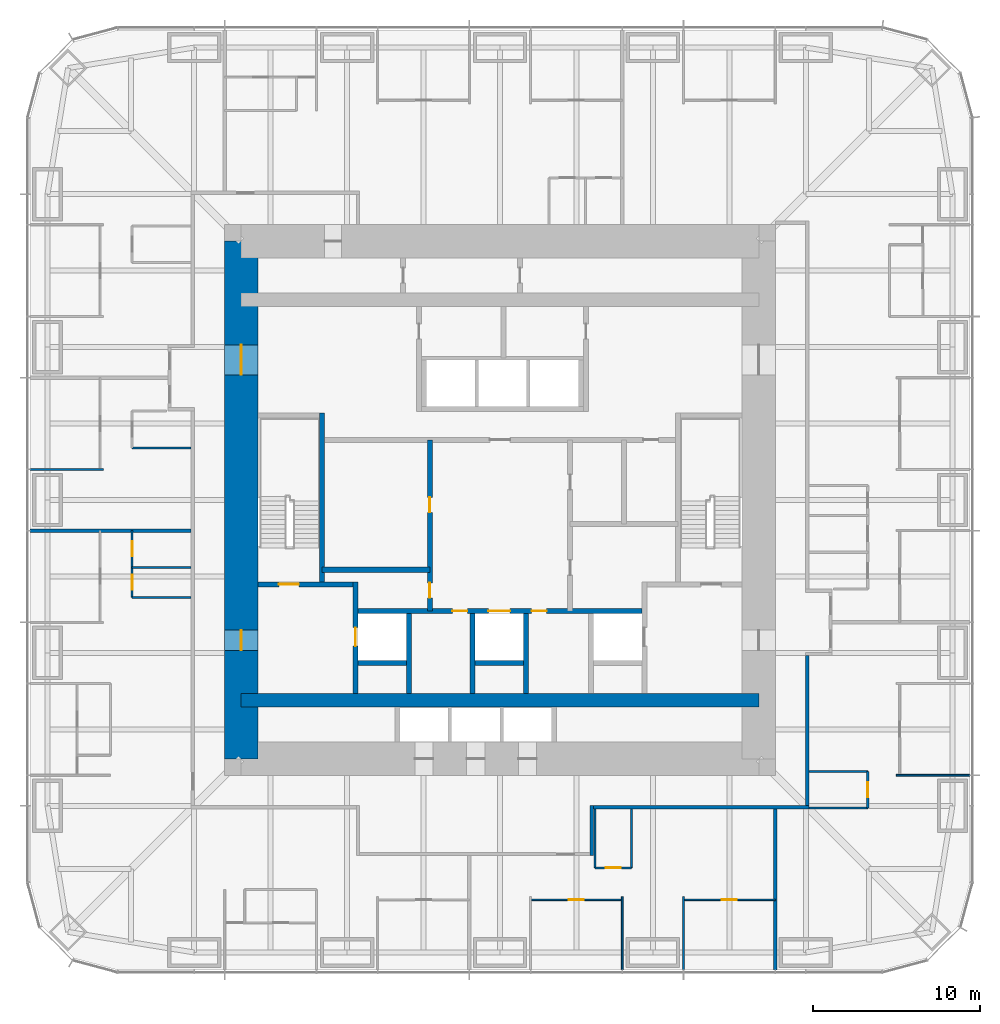
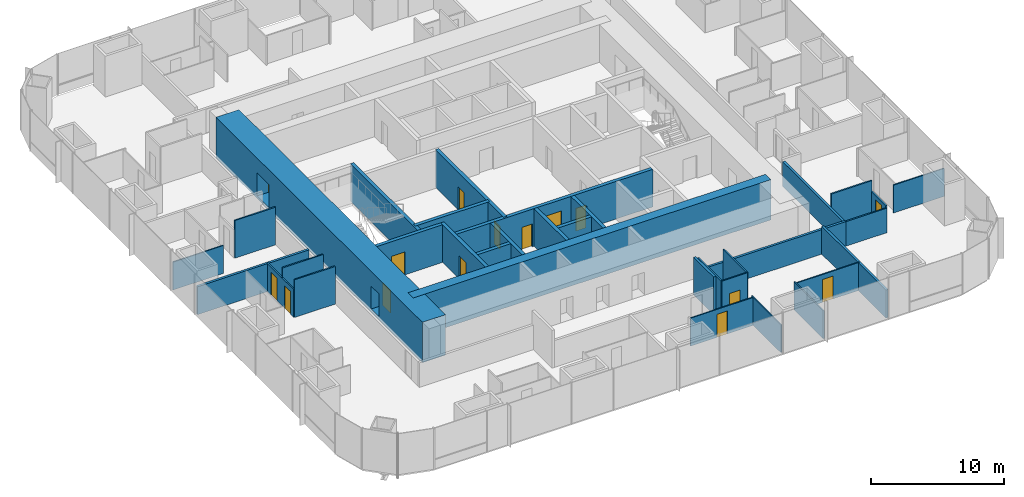
# One storey, part 8 of 12: 34 walls, 15 doors, 15 openings.
"""IFC4 building model written with IfcOpenShell, lengths in metres."""

from ifc_helpers import new_model, si_unit, direction, frame, frame_2d, origin, place, context, subcontext, project, spatial, rectangle, extrude, material, layer, layer_set, type_object, element, fill, save


model = new_model("IFC4")

# Units and contexts
model_context = context("Model", 3, precision=1e-05, world=origin(), true_north=direction((0.0, 1.0)))
body_context = subcontext(model_context, "Body", "Model", "MODEL_VIEW")
ifc_project = project(units=[si_unit("LENGTHUNIT", "METRE"), si_unit("AREAUNIT", "SQUARE_METRE"), si_unit("VOLUMEUNIT", "CUBIC_METRE"), si_unit("PLANEANGLEUNIT", "RADIAN"), si_unit("MASSUNIT", "GRAM", prefix="KILO")], contexts=[model_context])

# Site, building, storey
site_placement = place(None, origin())
site = spatial("IfcSite", under=ifc_project, at=site_placement, CompositionType="ELEMENT")
building_placement = place(site_placement, origin())
building = spatial("IfcBuilding", under=site, at=building_placement, Name="Khuree Lantern Residences", CompositionType="ELEMENT")
storey_placement = place(building_placement, frame((0.0, 0.0, 182.25)))
storey = spatial("IfcBuildingStorey", under=building, at=storey_placement, Name="L46", CompositionType="ELEMENT", Elevation=182.25)

# Wall
ifc_material_1 = material(Name="Moisture-resistant gypsum board on steel studs", Category="steel")
ifc_layer_1 = layer(ifc_material_1, 0.125)
ifc_layer_set_1 = layer_set([ifc_layer_1], Name="BATHROOM WALL BTW125")
wall_type_1 = type_object("IfcWallType", Name="BATHROOM WALL BTW125", PredefinedType="PARTITIONING", material=ifc_layer_set_1)
wall_1_placement = place(storey_placement, frame((-18.5, 3.1279296875, 0.0), z_axis=(0.0, 0.0, 1.0), x_axis=(-1.0, 0.0, 0.0)))
element("IfcWall", 1, at=wall_1_placement, inside=storey, type_object=wall_type_1, Name="L46 BATHROOM WALL 04", PredefinedType="PARTITIONING", context=body_context, shape_type="SweptSolid", body=[
    extrude(rectangle(XDim=3.52978515625, YDim=0.125, at=frame_2d((1.764892578125, 0.0))), origin(), (0.0, 0.0, 1.0), 3.449951171875),
])

# Wall, openings, doors
wall_2_placement = place(storey_placement, frame((-22.02978515625, -1.83203125, 0.0), z_axis=(0.0, 0.0, 1.0), x_axis=(0.0, -1.0, 0.0)))
wall_2 = element("IfcWall", 2, at=wall_2_placement, inside=storey, type_object=wall_type_1, Name="L46 BATHROOM WALL 05", PredefinedType="PARTITIONING", context=body_context, shape_type="SweptSolid", body=[
    extrude(rectangle(XDim=4.0, YDim=0.125, at=frame_2d((2.0, 0.0))), origin(), (0.0, 0.0, 1.0), 2.56005859375),
])
opening_1_placement = place(wall_2_placement, frame((0.64990234375, 0.0, 0.0)))
opening_1 = element("IfcOpeningElement", 3, at=opening_1_placement, cuts=wall_2, Name="Opening 46-054", PredefinedType="OPENING", context=body_context, shape_type="SweptSolid", body=[
    extrude(rectangle(XDim=0.89990234375, YDim=2.10009765625, at=frame_2d((0.449951171875, 1.050048828125))), frame((0.0, 0.072509765625, 0.0), z_axis=(0.0, -1.0, 0.0), x_axis=(1.0, 0.0, 0.0)), (0.0, 0.0, 1.0), 0.14501953125),
])
opening_2_placement = place(wall_2_placement, frame((2.64990234375, 0.0, 0.0)))
opening_2 = element("IfcOpeningElement", 4, at=opening_2_placement, cuts=wall_2, Name="Opening 46-055", PredefinedType="OPENING", context=body_context, shape_type="SweptSolid", body=[
    extrude(rectangle(XDim=0.89990234375, YDim=2.10009765625, at=frame_2d((0.449951171875, 1.050048828125))), frame((0.0, 0.072509765625, 0.0), z_axis=(0.0, -1.0, 0.0), x_axis=(1.0, 0.0, 0.0)), (0.0, 0.0, 1.0), 0.14501953125),
])
ifc_material_2 = material(Name="Timber door leaf in hardwood frame", Category="wood")
door_type_1 = type_object("IfcDoorType", Name="BATHROOM DOOR 900X2100", OperationType="SINGLE_SWING_LEFT", PredefinedType="DOOR", material=ifc_material_2)
door_1_placement = place(opening_1_placement, origin())
door_1 = element("IfcDoor", 5, at=door_1_placement, inside=storey, type_object=door_type_1, Name="Bathroom door 46-054", OperationType="SINGLE_SWING_LEFT", OverallHeight=2.10009765625, OverallWidth=0.89990234375, PredefinedType="DOOR", context=body_context, shape_type="SweptSolid", body=[
    extrude(rectangle(XDim=0.89990234375, YDim=2.10009765625, at=frame_2d((0.449951171875, 1.050048828125))), frame((0.0, 0.02490234375, 0.0), z_axis=(0.0, -1.0, 0.0), x_axis=(1.0, 0.0, 0.0)), (0.0, 0.0, 1.0), 0.050048828125),
])
fill(opening_1, door_1)
door_type_2 = type_object("IfcDoorType", Name="DOOR 900X2100", OperationType="SINGLE_SWING_LEFT", PredefinedType="DOOR", material=ifc_material_2)
door_2_placement = place(opening_2_placement, origin())
door_2 = element("IfcDoor", 6, at=door_2_placement, inside=storey, type_object=door_type_2, Name="Store door 46-055", OperationType="SINGLE_SWING_LEFT", OverallHeight=2.10009765625, OverallWidth=0.89990234375, PredefinedType="DOOR", context=body_context, shape_type="SweptSolid", body=[
    extrude(rectangle(XDim=0.89990234375, YDim=2.10009765625, at=frame_2d((0.449951171875, 1.050048828125))), frame((0.0, 0.02490234375, 0.0), z_axis=(0.0, -1.0, 0.0), x_axis=(1.0, 0.0, 0.0)), (0.0, 0.0, 1.0), 0.050048828125),
])
fill(opening_2, door_2)

# Walls
for number, where, z_axis, x_axis, name in (
    (7, (-18.5, -4.031982421875, 0.0), (0.0, 0.0, 1.0), (-1.0, 0.0, 0.0), "L46 BATHROOM WALL 05"),
    (8, (-18.5, -5.83203125, 0.0), (0.0, 0.0, 1.0), (-1.0, 0.0, 0.0), "L46 BATHROOM WALL 05"),
):
    element("IfcWall", number, at=place(storey_placement, frame(where, z_axis=z_axis, x_axis=x_axis)), inside=storey, type_object=wall_type_1, Name=name, PredefinedType="PARTITIONING", context=body_context, shape_type="SweptSolid", body=[
        extrude(rectangle(XDim=3.52978515625, YDim=0.125, at=frame_2d((1.764892578125, 0.0))), origin(), (0.0, 0.0, 1.0), 3.449951171875),
    ])

# Wall, opening, door
wall_3_placement = place(storey_placement, frame((5.68359375, -22.02978515625, 0.0), z_axis=(0.0, 0.0, 1.0), x_axis=(1.0, 0.0, 0.0)))
wall_3 = element("IfcWall", 9, at=wall_3_placement, inside=storey, type_object=wall_type_1, Name="L46 BATHROOM WALL 06", PredefinedType="PARTITIONING", context=body_context, shape_type="SweptSolid", body=[
    extrude(rectangle(XDim=2.199951171875, YDim=0.125, at=frame_2d((1.10009765625, 0.0))), origin(), (0.0, 0.0, 1.0), 3.449951171875),
])
opening_3_placement = place(wall_3_placement, frame((0.64990234375, 0.0, 0.0)))
opening_3 = element("IfcOpeningElement", 10, at=opening_3_placement, cuts=wall_3, Name="Opening 46-059", PredefinedType="OPENING", context=body_context, shape_type="SweptSolid", body=[
    extrude(rectangle(XDim=0.89990234375, YDim=2.10009765625, at=frame_2d((0.449951171875, 1.050048828125))), frame((0.0, 0.072509765625, 0.0), z_axis=(0.0, -1.0, 0.0), x_axis=(1.0, 0.0, 0.0)), (0.0, 0.0, 1.0), 0.14501953125),
])
door_3_placement = place(opening_3_placement, origin())
door_3 = element("IfcDoor", 11, at=door_3_placement, inside=storey, type_object=door_type_1, Name="Bathroom door 46-059", OperationType="SINGLE_SWING_LEFT", OverallHeight=2.10009765625, OverallWidth=0.89990234375, PredefinedType="DOOR", context=body_context, shape_type="SweptSolid", body=[
    extrude(rectangle(XDim=0.89990234375, YDim=2.10009765625, at=frame_2d((0.449951171875, 1.050048828125))), frame((0.0, 0.02490234375, 0.0), z_axis=(0.0, -1.0, 0.0), x_axis=(1.0, 0.0, 0.0)), (0.0, 0.0, 1.0), 0.050048828125),
])
fill(opening_3, door_3)

# Walls
for number, where, z_axis, x_axis, name in (
    (12, (5.68359375, -18.5, 0.0), (0.0, 0.0, 1.0), (0.0, -1.0, 0.0), "L46 BATHROOM WALL 06"),
    (13, (7.883544921875, -18.5, 0.0), (0.0, 0.0, 1.0), (0.0, -1.0, 0.0), "L46 BATHROOM WALL 06"),
):
    element("IfcWall", number, at=place(storey_placement, frame(where, z_axis=z_axis, x_axis=x_axis)), inside=storey, type_object=wall_type_1, Name=name, PredefinedType="PARTITIONING", context=body_context, shape_type="SweptSolid", body=[
        extrude(rectangle(XDim=3.52978515625, YDim=0.125, at=frame_2d((1.764892578125, 0.0))), origin(), (0.0, 0.0, 1.0), 3.449951171875),
    ])

# Wall, opening, door
wall_4_placement = place(storey_placement, frame((22.02978515625, -18.449951171875, 0.0), z_axis=(0.0, 0.0, 1.0), x_axis=(0.0, 1.0, 0.0)))
wall_4 = element("IfcWall", 14, at=wall_4_placement, inside=storey, type_object=wall_type_1, Name="L46 BATHROOM WALL 07", PredefinedType="PARTITIONING", context=body_context, shape_type="SweptSolid", body=[
    extrude(rectangle(XDim=2.199951171875, YDim=0.125, at=frame_2d((1.10009765625, 0.0))), origin(), (0.0, 0.0, 1.0), 2.449951171875),
])
opening_4_placement = place(wall_4_placement, frame((0.64990234375, 0.0, 0.0)))
opening_4 = element("IfcOpeningElement", 15, at=opening_4_placement, cuts=wall_4, Name="Opening 46-062", PredefinedType="OPENING", context=body_context, shape_type="SweptSolid", body=[
    extrude(rectangle(XDim=0.89990234375, YDim=2.10009765625, at=frame_2d((0.449951171875, 1.050048828125))), frame((0.0, 0.072509765625, 0.0), z_axis=(0.0, -1.0, 0.0), x_axis=(1.0, 0.0, 0.0)), (0.0, 0.0, 1.0), 0.14501953125),
])
door_4_placement = place(opening_4_placement, origin())
door_4 = element("IfcDoor", 16, at=door_4_placement, inside=storey, type_object=door_type_1, Name="Bathroom door 46-062", OperationType="SINGLE_SWING_LEFT", OverallHeight=2.10009765625, OverallWidth=0.89990234375, PredefinedType="DOOR", context=body_context, shape_type="SweptSolid", body=[
    extrude(rectangle(XDim=0.89990234375, YDim=2.10009765625, at=frame_2d((0.449951171875, 1.050048828125))), frame((0.0, 0.02490234375, 0.0), z_axis=(0.0, -1.0, 0.0), x_axis=(1.0, 0.0, 0.0)), (0.0, 0.0, 1.0), 0.050048828125),
])
fill(opening_4, door_4)

# Walls
wall_5_placement = place(storey_placement, frame((18.5, -18.449951171875, 0.0), z_axis=(0.0, 0.0, 1.0), x_axis=(1.0, 0.0, 0.0)))
element("IfcWall", 17, at=wall_5_placement, inside=storey, type_object=wall_type_1, Name="L46 BATHROOM WALL 07", PredefinedType="PARTITIONING", context=body_context, shape_type="SweptSolid", body=[
    extrude(rectangle(XDim=3.52978515625, YDim=0.125, at=frame_2d((1.764892578125, 0.0))), origin(), (0.0, 0.0, 1.0), 2.25),
])
wall_6_placement = place(storey_placement, frame((18.5, -16.25, 0.0), z_axis=(0.0, 0.0, 1.0), x_axis=(1.0, 0.0, 0.0)))
element("IfcWall", 18, at=wall_6_placement, inside=storey, type_object=wall_type_1, Name="L46 BATHROOM WALL 07", PredefinedType="PARTITIONING", context=body_context, shape_type="SweptSolid", body=[
    extrude(rectangle(XDim=3.52978515625, YDim=0.125, at=frame_2d((1.764892578125, 0.0))), origin(), (0.0, 0.0, 1.0), 3.449951171875),
])

# Wall, opening, door
ifc_material_3 = material(Name="Dense concrete blockwork", Category="masonry")
ifc_layer_2 = layer(ifc_material_3, 0.300048828125)
ifc_layer_set_2 = layer_set([ifc_layer_2], Name="CORE PARTITION WALL CPW300 EI 120")
wall_type_2 = type_object("IfcWallType", Name="CORE PARTITION WALL CPW300 EI 120", PredefinedType="PARTITIONING", material=ifc_layer_set_2)
wall_7_placement = place(storey_placement, frame((-8.64990234375, -11.60009765625, 0.0), z_axis=(0.0, 0.0, 1.0), x_axis=(0.0, 1.0, 0.0)))
wall_7 = element("IfcWall", 19, at=wall_7_placement, inside=storey, type_object=wall_type_2, Name="L46 CORE WALL FL1W", PredefinedType="PARTITIONING", context=body_context, shape_type="SweptSolid", body=[
    extrude(rectangle(XDim=6.7001953125, YDim=0.300048828125, at=frame_2d((3.35009765625, 0.0))), origin(), (0.0, 0.0, 1.0), 3.449951171875),
])
opening_5_placement = place(wall_7_placement, frame((2.85009765625, 0.0, 0.0)))
opening_5 = element("IfcOpeningElement", 20, at=opening_5_placement, cuts=wall_7, Name="Opening 46-007", PredefinedType="OPENING", context=body_context, shape_type="SweptSolid", body=[
    extrude(rectangle(XDim=1.10009765625, YDim=2.10009765625, at=frame_2d((0.550048828125, 1.050048828125))), frame((0.0, 0.16015625, 0.0), z_axis=(0.0, -1.0, 0.0), x_axis=(1.0, 0.0, 0.0)), (0.0, 0.0, 1.0), 0.320068359375),
])
ifc_material_4 = material(Name="Stainless steel lift landing door", Category="steel")
door_type_3 = type_object("IfcDoorType", Name="LIFT LANDING DOOR 1100X2100 E 120", OperationType="DOUBLE_DOOR_SLIDING", PredefinedType="DOOR", material=ifc_material_4)
door_5_placement = place(opening_5_placement, origin())
door_5 = element("IfcDoor", 21, at=door_5_placement, inside=storey, type_object=door_type_3, Name="Landing door FL1 46-007", OperationType="DOUBLE_DOOR_SLIDING", OverallHeight=2.10009765625, OverallWidth=1.10009765625, PredefinedType="DOOR", context=body_context, shape_type="SweptSolid", body=[
    extrude(rectangle(XDim=1.10009765625, YDim=2.10009765625, at=frame_2d((0.550048828125, 1.050048828125))), frame((0.0, 0.02490234375, 0.0), z_axis=(0.0, -1.0, 0.0), x_axis=(1.0, 0.0, 0.0)), (0.0, 0.0, 1.0), 0.050048828125),
])
fill(opening_5, door_5)

# Wall, openings, doors
wall_8_placement = place(storey_placement, frame((-8.5, -6.64990234375, 0.0), z_axis=(0.0, 0.0, 1.0), x_axis=(1.0, 0.0, 0.0)))
wall_8 = element("IfcWall", 22, at=wall_8_placement, inside=storey, type_object=wall_type_2, Name="L46 CORE WALL FLROW", PredefinedType="PARTITIONING", context=body_context, shape_type="SweptSolid", body=[
    extrude(rectangle(XDim=17.0, YDim=0.300048828125, at=frame_2d((8.5, 0.0))), origin(), (0.0, 0.0, 1.0), 3.449951171875),
])
opening_6_placement = place(wall_8_placement, frame((7.800048828125, 0.0, 0.0)))
opening_6 = element("IfcOpeningElement", 23, at=opening_6_placement, cuts=wall_8, Name="Opening 46-012", PredefinedType="OPENING", context=body_context, shape_type="SweptSolid", body=[
    extrude(rectangle(XDim=1.300048828125, YDim=2.39990234375, at=frame_2d((0.64990234375, 1.199951171875))), frame((0.0, 0.16015625, 0.0), z_axis=(0.0, -1.0, 0.0), x_axis=(1.0, 0.0, 0.0)), (0.0, 0.0, 1.0), 0.320068359375),
])
opening_7_placement = place(wall_8_placement, frame((5.64990234375, 0.0, 0.0)))
opening_7 = element("IfcOpeningElement", 24, at=opening_7_placement, cuts=wall_8, Name="Opening 46-014", PredefinedType="OPENING", context=body_context, shape_type="SweptSolid", body=[
    extrude(rectangle(XDim=0.89990234375, YDim=2.10009765625, at=frame_2d((0.449951171875, 1.050048828125))), frame((0.0, 0.16015625, 0.0), z_axis=(0.0, -1.0, 0.0), x_axis=(1.0, 0.0, 0.0)), (0.0, 0.0, 1.0), 0.320068359375),
])
opening_8_placement = place(wall_8_placement, frame((10.39990234375, 0.0, 0.0)))
opening_8 = element("IfcOpeningElement", 25, at=opening_8_placement, cuts=wall_8, Name="Opening 46-015", PredefinedType="OPENING", context=body_context, shape_type="SweptSolid", body=[
    extrude(rectangle(XDim=0.89990234375, YDim=2.10009765625, at=frame_2d((0.449951171875, 1.050048828125))), frame((0.0, 0.16015625, 0.0), z_axis=(0.0, -1.0, 0.0), x_axis=(1.0, 0.0, 0.0)), (0.0, 0.0, 1.0), 0.320068359375),
])
ifc_material_5 = material(Name="Steel door leaf in steel frame", Category="steel")
door_type_4 = type_object("IfcDoorType", Name="DOOR 900X2100 EI 60", OperationType="SINGLE_SWING_LEFT", PredefinedType="DOOR", material=ifc_material_5)
door_6_placement = place(opening_7_placement, origin())
door_6 = element("IfcDoor", 26, at=door_6_placement, inside=storey, type_object=door_type_4, Name="Refuse chute room door 46-014", OperationType="SINGLE_SWING_LEFT", OverallHeight=2.10009765625, OverallWidth=0.89990234375, PredefinedType="DOOR", context=body_context, shape_type="SweptSolid", body=[
    extrude(rectangle(XDim=0.89990234375, YDim=2.10009765625, at=frame_2d((0.449951171875, 1.050048828125))), frame((0.0, 0.02490234375, 0.0), z_axis=(0.0, -1.0, 0.0), x_axis=(1.0, 0.0, 0.0)), (0.0, 0.0, 1.0), 0.050048828125),
])
fill(opening_7, door_6)
door_type_5 = type_object("IfcDoorType", Name="DOOR 900X2100 EI 60 RIGHT HAND", OperationType="SINGLE_SWING_RIGHT", PredefinedType="DOOR", material=ifc_material_5)
door_7_placement = place(opening_8_placement, origin())
door_7 = element("IfcDoor", 27, at=door_7_placement, inside=storey, type_object=door_type_5, Name="Electrical and plumbing riser door 46-015", OperationType="SINGLE_SWING_RIGHT", OverallHeight=2.10009765625, OverallWidth=0.89990234375, PredefinedType="DOOR", context=body_context, shape_type="SweptSolid", body=[
    extrude(rectangle(XDim=0.89990234375, YDim=2.10009765625, at=frame_2d((0.449951171875, 1.050048828125))), frame((0.0, 0.02490234375, 0.0), z_axis=(0.0, -1.0, 0.0), x_axis=(1.0, 0.0, 0.0)), (0.0, 0.0, 1.0), 0.050048828125),
])
fill(opening_8, door_7)
door_type_6 = type_object("IfcDoorType", Name="LIFT LANDING DOOR 1300X2400 E 60", OperationType="DOUBLE_DOOR_SLIDING", PredefinedType="DOOR", material=ifc_material_4)
door_8_placement = place(opening_6_placement, origin())
door_8 = element("IfcDoor", 28, at=door_8_placement, inside=storey, type_object=door_type_6, Name="Landing door SL1 46-012", OperationType="DOUBLE_DOOR_SLIDING", OverallHeight=2.39990234375, OverallWidth=1.300048828125, PredefinedType="DOOR", context=body_context, shape_type="SweptSolid", body=[
    extrude(rectangle(XDim=1.300048828125, YDim=2.39990234375, at=frame_2d((0.64990234375, 1.199951171875))), frame((0.0, 0.02490234375, 0.0), z_axis=(0.0, -1.0, 0.0), x_axis=(1.0, 0.0, 0.0)), (0.0, 0.0, 1.0), 0.050048828125),
])
fill(opening_6, door_8)

# Walls
for number, where, z_axis, x_axis, name in (
    (29, (-5.449951171875, -11.60009765625, 0.0), (0.0, 0.0, 1.0), (0.0, 1.0, 0.0), "L46 CORE WALL FL1E"),
    (30, (-1.64990234375, -11.60009765625, 0.0), (0.0, 0.0, 1.0), (0.0, 1.0, 0.0), "L46 CORE WALL SL1W"),
    (31, (1.550048828125, -11.60009765625, 0.0), (0.0, 0.0, 1.0), (0.0, 1.0, 0.0), "L46 CORE WALL SL1E"),
):
    element("IfcWall", number, at=place(storey_placement, frame(where, z_axis=z_axis, x_axis=x_axis)), inside=storey, type_object=wall_type_2, Name=name, PredefinedType="PARTITIONING", context=body_context, shape_type="SweptSolid", body=[
        extrude(rectangle(XDim=4.800048828125, YDim=0.300048828125, at=frame_2d((2.39990234375, 0.0))), origin(), (0.0, 0.0, 1.0), 3.449951171875),
    ])
for number, where, z_axis, x_axis, name in (
    (32, (-8.5, -9.75, 0.0), (0.0, 0.0, 1.0), (1.0, 0.0, 0.0), "L46 CORE WALL FL1S"),
    (33, (-1.5, -9.75, 0.0), (0.0, 0.0, 1.0), (1.0, 0.0, 0.0), "L46 CORE WALL SL1S"),
):
    element("IfcWall", number, at=place(storey_placement, frame(where, z_axis=z_axis, x_axis=x_axis)), inside=storey, type_object=wall_type_2, Name=name, PredefinedType="PARTITIONING", context=body_context, shape_type="SweptSolid", body=[
        extrude(rectangle(XDim=2.89990234375, YDim=0.300048828125, at=frame_2d((1.449951171875, 0.0))), origin(), (0.0, 0.0, 1.0), 3.449951171875),
    ])

# Wall, openings, doors
wall_9_placement = place(storey_placement, frame((-4.199951171875, -6.64990234375, 0.0), z_axis=(0.0, 0.0, 1.0), x_axis=(0.0, 1.0, 0.0)))
wall_9 = element("IfcWall", 34, at=wall_9_placement, inside=storey, type_object=wall_type_2, Name="L46 CORE WALL SVW", PredefinedType="PARTITIONING", context=body_context, shape_type="SweptSolid", body=[
    extrude(rectangle(XDim=10.25, YDim=0.300048828125, at=frame_2d((5.125, 0.0))), origin(), (0.0, 0.0, 1.0), 3.449951171875),
])
opening_9_placement = place(wall_9_placement, frame((0.787109375, 0.0, 0.0)))
opening_9 = element("IfcOpeningElement", 35, at=opening_9_placement, cuts=wall_9, Name="Opening 46-016", PredefinedType="OPENING", context=body_context, shape_type="SweptSolid", body=[
    extrude(rectangle(XDim=0.89990234375, YDim=2.10009765625, at=frame_2d((0.449951171875, 1.050048828125))), frame((0.0, 0.16015625, 0.0), z_axis=(0.0, -1.0, 0.0), x_axis=(1.0, 0.0, 0.0)), (0.0, 0.0, 1.0), 0.320068359375),
])
opening_10_placement = place(wall_9_placement, frame((5.912109375, 0.0, 0.0)))
opening_10 = element("IfcOpeningElement", 36, at=opening_10_placement, cuts=wall_9, Name="Opening 46-017", PredefinedType="OPENING", context=body_context, shape_type="SweptSolid", body=[
    extrude(rectangle(XDim=0.89990234375, YDim=2.10009765625, at=frame_2d((0.449951171875, 1.050048828125))), frame((0.0, 0.16015625, 0.0), z_axis=(0.0, -1.0, 0.0), x_axis=(1.0, 0.0, 0.0)), (0.0, 0.0, 1.0), 0.320068359375),
])
door_9_placement = place(opening_9_placement, origin())
door_9 = element("IfcDoor", 37, at=door_9_placement, inside=storey, type_object=door_type_2, Name="Refuse holding room door 46-016", OperationType="SINGLE_SWING_LEFT", OverallHeight=2.10009765625, OverallWidth=0.89990234375, PredefinedType="DOOR", context=body_context, shape_type="SweptSolid", body=[
    extrude(rectangle(XDim=0.89990234375, YDim=2.10009765625, at=frame_2d((0.449951171875, 1.050048828125))), frame((0.0, 0.02490234375, 0.0), z_axis=(0.0, -1.0, 0.0), x_axis=(1.0, 0.0, 0.0)), (0.0, 0.0, 1.0), 0.050048828125),
])
fill(opening_9, door_9)
door_10_placement = place(opening_10_placement, origin())
door_10 = element("IfcDoor", 38, at=door_10_placement, inside=storey, type_object=door_type_2, Name="Residents' store door 46-017", OperationType="SINGLE_SWING_LEFT", OverallHeight=2.10009765625, OverallWidth=0.89990234375, PredefinedType="DOOR", context=body_context, shape_type="SweptSolid", body=[
    extrude(rectangle(XDim=0.89990234375, YDim=2.10009765625, at=frame_2d((0.449951171875, 1.050048828125))), frame((0.0, 0.02490234375, 0.0), z_axis=(0.0, -1.0, 0.0), x_axis=(1.0, 0.0, 0.0)), (0.0, 0.0, 1.0), 0.050048828125),
])
fill(opening_10, door_10)

# Walls
wall_10_placement = place(storey_placement, frame((-10.64990234375, -4.177001953125, 0.0), z_axis=(0.0, 0.0, 1.0), x_axis=(1.0, 0.0, 0.0)))
element("IfcWall", 39, at=wall_10_placement, inside=storey, type_object=wall_type_2, Name="L46 CORE WALL WX", PredefinedType="PARTITIONING", context=body_context, shape_type="SweptSolid", body=[
    extrude(rectangle(XDim=6.449951171875, YDim=0.300048828125, at=frame_2d((3.22509765625, 0.0))), origin(), (0.0, 0.0, 1.0), 3.449951171875),
])
ifc_material_6 = material(Name="Gypsum board on steel studs", Category="steel")
ifc_layer_3 = layer(ifc_material_6, 0.199951171875)
ifc_layer_set_3 = layer_set([ifc_layer_3], Name="CORRIDOR WALL CRW200 EI 60")
wall_type_3 = type_object("IfcWallType", Name="CORRIDOR WALL CRW200 EI 60", PredefinedType="PARTITIONING", material=ifc_layer_set_3)
wall_11_placement = place(storey_placement, frame((18.39990234375, -18.300048828125, 0.0), z_axis=(0.0, 0.0, 1.0), x_axis=(0.0, 1.0, 0.0)))
element("IfcWall", 40, at=wall_11_placement, inside=storey, type_object=wall_type_3, Name="L46 CORRIDOR WALL EAST 1", PredefinedType="PARTITIONING", context=body_context, shape_type="SweptSolid", body=[
    extrude(rectangle(XDim=8.97216796875, YDim=0.199951171875, at=frame_2d((4.486083984375, 0.0))), origin(), (0.0, 0.0, 1.0), 2.25),
])
wall_12_placement = place(storey_placement, frame((18.5, -18.39990234375, 0.0), z_axis=(0.0, 0.0, 1.0), x_axis=(-1.0, 0.0, 0.0)))
element("IfcWall", 41, at=wall_12_placement, inside=storey, type_object=wall_type_3, Name="L46 CORRIDOR WALL SOUTH 1", PredefinedType="PARTITIONING", context=body_context, shape_type="SweptSolid", body=[
    extrude(rectangle(XDim=12.89990234375, YDim=0.199951171875, at=frame_2d((6.449951171875, 0.0))), origin(), (0.0, 0.0, 1.0), 2.25),
])
wall_13_placement = place(storey_placement, frame((5.5, -18.300048828125, 0.0), z_axis=(0.0, 0.0, 1.0), x_axis=(0.0, -1.0, 0.0)))
element("IfcWall", 42, at=wall_13_placement, inside=storey, type_object=wall_type_3, Name="L46 LIFT LOBBY WALL", PredefinedType="PARTITIONING", context=body_context, shape_type="SweptSolid", body=[
    extrude(rectangle(XDim=3.0, YDim=0.199951171875, at=frame_2d((1.5, 0.0))), origin(), (0.0, 0.0, 1.0), 3.449951171875),
])

# Wall, openings, doors
ifc_material_7 = material(Name="Concrete C70/85", Category="concrete")
ifc_layer_4 = layer(ifc_material_7, 2.0)
ifc_layer_set_4 = layer_set([ifc_layer_4], Name="CW2000-C70 CORE WALL C70 2000")
wall_type_4 = type_object("IfcWallType", Name="CW2000-C70 CORE WALL C70 2000", PredefinedType="SHEAR", material=ifc_layer_set_4)
wall_14_placement = place(storey_placement, frame((-15.5, -15.5, -0.25), z_axis=(0.0, 0.0, 1.0), x_axis=(0.0, 1.0, 0.0)))
wall_14 = element("IfcWall", 43, at=wall_14_placement, inside=storey, type_object=wall_type_4, Name="Core wall W", PredefinedType="SHEAR", context=body_context, shape_type="SweptSolid", body=[
    extrude(rectangle(XDim=31.0, YDim=2.0, at=frame_2d((15.5, 0.0))), origin(), (0.0, 0.0, 1.0), 3.699951171875),
])
opening_11_placement = place(wall_14_placement, frame((6.5, 0.0, 0.25)))
opening_11 = element("IfcOpeningElement", 44, at=opening_11_placement, cuts=wall_14, Name="Opening 46-002", PredefinedType="OPENING", context=body_context, shape_type="SweptSolid", body=[
    extrude(rectangle(XDim=1.199951171875, YDim=2.10009765625, at=frame_2d((0.60009765625, 1.050048828125))), frame((0.0, 1.010009765625, 0.0), z_axis=(0.0, -1.0, 0.0), x_axis=(1.0, 0.0, 0.0)), (0.0, 0.0, 1.0), 2.02001953125),
])
opening_12_placement = place(wall_14_placement, frame((23.0, 0.0, 0.25)))
opening_12 = element("IfcOpeningElement", 45, at=opening_12_placement, cuts=wall_14, Name="Opening 46-003", PredefinedType="OPENING", context=body_context, shape_type="SweptSolid", body=[
    extrude(rectangle(XDim=1.800048828125, YDim=2.10009765625, at=frame_2d((0.89990234375, 1.050048828125))), frame((0.0, 1.010009765625, 0.0), z_axis=(0.0, -1.0, 0.0), x_axis=(1.0, 0.0, 0.0)), (0.0, 0.0, 1.0), 2.02001953125),
])
door_type_7 = type_object("IfcDoorType", Name="LOBBY DOOR 1200X2100 EI 120", OperationType="SINGLE_SWING_LEFT", PredefinedType="DOOR", material=ifc_material_5)
door_11_placement = place(opening_11_placement, origin())
door_11 = element("IfcDoor", 46, at=door_11_placement, inside=storey, type_object=door_type_7, Name="Firefighting lobby door 46-002", OperationType="SINGLE_SWING_LEFT", OverallHeight=2.10009765625, OverallWidth=1.199951171875, PredefinedType="DOOR", context=body_context, shape_type="SweptSolid", body=[
    extrude(rectangle(XDim=1.199951171875, YDim=2.10009765625, at=frame_2d((0.60009765625, 1.050048828125))), frame((0.0, 0.02490234375, 0.0), z_axis=(0.0, -1.0, 0.0), x_axis=(1.0, 0.0, 0.0)), (0.0, 0.0, 1.0), 0.050048828125),
])
fill(opening_11, door_11)
door_type_8 = type_object("IfcDoorType", Name="LOBBY DOUBLE DOOR 1800X2100 EI 60", OperationType="DOUBLE_DOOR_SINGLE_SWING", PredefinedType="DOOR", material=ifc_material_5)
door_12_placement = place(opening_12_placement, origin())
door_12 = element("IfcDoor", 47, at=door_12_placement, inside=storey, type_object=door_type_8, Name="Lift lobby door 46-003", OperationType="DOUBLE_DOOR_SINGLE_SWING", OverallHeight=2.10009765625, OverallWidth=1.800048828125, PredefinedType="DOOR", context=body_context, shape_type="SweptSolid", body=[
    extrude(rectangle(XDim=1.800048828125, YDim=2.10009765625, at=frame_2d((0.89990234375, 1.050048828125))), frame((0.0, 0.02490234375, 0.0), z_axis=(0.0, -1.0, 0.0), x_axis=(1.0, 0.0, 0.0)), (0.0, 0.0, 1.0), 0.050048828125),
])
fill(opening_12, door_12)

# Walls
ifc_layer_5 = layer(ifc_material_6, 0.199951171875)
ifc_layer_set_5 = layer_set([ifc_layer_5], Name="DEMISING WALL DMW200 EI 90")
wall_type_5 = type_object("IfcWallType", Name="DEMISING WALL DMW200 EI 90", PredefinedType="PARTITIONING", material=ifc_layer_set_5)
for number, where, z_axis, x_axis, name in (
    (48, (-18.5, -1.83203125, 0.0), (0.0, 0.0, 1.0), (-1.0, 0.0, 0.0), "L46 DEMISING WALL 05"),
    (49, (16.488037109375, -18.5, 0.0), (0.0, 0.0, 1.0), (0.0, -1.0, 0.0), "L46 DEMISING WALL 07"),
):
    element("IfcWall", number, at=place(storey_placement, frame(where, z_axis=z_axis, x_axis=x_axis)), inside=storey, type_object=wall_type_5, Name=name, PredefinedType="PARTITIONING", context=body_context, shape_type="SweptSolid", body=[
        extrude(rectangle(XDim=9.64990234375, YDim=0.199951171875, at=frame_2d((4.824951171875, 0.0))), origin(), (0.0, 0.0, 1.0), 2.56005859375),
    ])
ifc_layer_6 = layer(ifc_material_6, 0.10009765625)
ifc_layer_set_6 = layer_set([ifc_layer_6], Name="PARTITION PT100")
wall_type_6 = type_object("IfcWallType", Name="PARTITION PT100", PredefinedType="PARTITIONING", material=ifc_layer_set_6)
for number, where, z_axis, x_axis, name in (
    (50, (-23.75, 1.83203125, 0.0), (0.0, 0.0, 1.0), (-1.0, 0.0, 0.0), "L46 PARTITION 04"),
    (51, (7.327880859375, -23.75, 0.0), (0.0, 0.0, 1.0), (0.0, -1.0, 0.0), "L46 PARTITION 06"),
    (52, (10.991943359375, -23.75, 0.0), (0.0, 0.0, 1.0), (0.0, -1.0, 0.0), "L46 PARTITION 06"),
    (53, (23.75, -16.488037109375, 0.0), (0.0, 0.0, 1.0), (1.0, 0.0, 0.0), "L46 PARTITION 07"),
):
    element("IfcWall", number, at=place(storey_placement, frame(where, z_axis=z_axis, x_axis=x_axis)), inside=storey, type_object=wall_type_6, Name=name, PredefinedType="PARTITIONING", context=body_context, shape_type="SweptSolid", body=[
        extrude(rectangle(XDim=4.39990234375, YDim=0.10009765625, at=frame_2d((2.199951171875, 0.0))), origin(), (0.0, 0.0, 1.0), 2.56005859375),
    ])

# Wall, opening, door
wall_15_placement = place(storey_placement, frame((1.83203125, -23.949951171875, 0.0), z_axis=(0.0, 0.0, 1.0), x_axis=(1.0, 0.0, 0.0)))
wall_15 = element("IfcWall", 54, at=wall_15_placement, inside=storey, type_object=wall_type_6, Name="L46 PARTITION 06", PredefinedType="PARTITIONING", context=body_context, shape_type="SweptSolid", body=[
    extrude(rectangle(XDim=5.495849609375, YDim=0.10009765625, at=frame_2d((2.748046875, 0.0))), origin(), (0.0, 0.0, 1.0), 2.56005859375),
])
opening_13_placement = place(wall_15_placement, frame((2.298095703125, 0.0, 0.0)))
opening_13 = element("IfcOpeningElement", 55, at=opening_13_placement, cuts=wall_15, Name="Opening 46-057", PredefinedType="OPENING", context=body_context, shape_type="SweptSolid", body=[
    extrude(rectangle(XDim=0.89990234375, YDim=2.10009765625, at=frame_2d((0.449951171875, 1.050048828125))), frame((0.0, 0.06005859375, 0.0), z_axis=(0.0, -1.0, 0.0), x_axis=(1.0, 0.0, 0.0)), (0.0, 0.0, 1.0), 0.1201171875),
])
door_type_9 = type_object("IfcDoorType", Name="BEDROOM DOOR 900X2100", OperationType="SINGLE_SWING_LEFT", PredefinedType="DOOR", material=ifc_material_2)
door_13_placement = place(opening_13_placement, origin())
door_13 = element("IfcDoor", 56, at=door_13_placement, inside=storey, type_object=door_type_9, Name="Bedroom door 46-057", OperationType="SINGLE_SWING_LEFT", OverallHeight=2.10009765625, OverallWidth=0.89990234375, PredefinedType="DOOR", context=body_context, shape_type="SweptSolid", body=[
    extrude(rectangle(XDim=0.89990234375, YDim=2.10009765625, at=frame_2d((0.449951171875, 1.050048828125))), frame((0.0, 0.02490234375, 0.0), z_axis=(0.0, -1.0, 0.0), x_axis=(1.0, 0.0, 0.0)), (0.0, 0.0, 1.0), 0.050048828125),
])
fill(opening_13, door_13)

wall_16_placement = place(storey_placement, frame((10.991943359375, -23.949951171875, 0.0), z_axis=(0.0, 0.0, 1.0), x_axis=(1.0, 0.0, 0.0)))
wall_16 = element("IfcWall", 57, at=wall_16_placement, inside=storey, type_object=wall_type_6, Name="L46 PARTITION 06", PredefinedType="PARTITIONING", context=body_context, shape_type="SweptSolid", body=[
    extrude(rectangle(XDim=5.49609375, YDim=0.10009765625, at=frame_2d((2.748046875, 0.0))), origin(), (0.0, 0.0, 1.0), 2.56005859375),
])
opening_14_placement = place(wall_16_placement, frame((2.298095703125, 0.0, 0.0)))
opening_14 = element("IfcOpeningElement", 58, at=opening_14_placement, cuts=wall_16, Name="Opening 46-058", PredefinedType="OPENING", context=body_context, shape_type="SweptSolid", body=[
    extrude(rectangle(XDim=0.89990234375, YDim=2.10009765625, at=frame_2d((0.449951171875, 1.050048828125))), frame((0.0, 0.06005859375, 0.0), z_axis=(0.0, -1.0, 0.0), x_axis=(1.0, 0.0, 0.0)), (0.0, 0.0, 1.0), 0.1201171875),
])
door_type_10 = type_object("IfcDoorType", Name="BEDROOM DOOR 900X2100 RIGHT HAND", OperationType="SINGLE_SWING_RIGHT", PredefinedType="DOOR", material=ifc_material_2)
door_14_placement = place(opening_14_placement, origin())
door_14 = element("IfcDoor", 59, at=door_14_placement, inside=storey, type_object=door_type_10, Name="Bedroom door 46-058", OperationType="SINGLE_SWING_RIGHT", OverallHeight=2.10009765625, OverallWidth=0.89990234375, PredefinedType="DOOR", context=body_context, shape_type="SweptSolid", body=[
    extrude(rectangle(XDim=0.89990234375, YDim=2.10009765625, at=frame_2d((0.449951171875, 1.050048828125))), frame((0.0, 0.02490234375, 0.0), z_axis=(0.0, -1.0, 0.0), x_axis=(1.0, 0.0, 0.0)), (0.0, 0.0, 1.0), 0.050048828125),
])
fill(opening_14, door_14)

# Walls
ifc_layer_7 = layer(ifc_material_7, 0.800048828125)
ifc_layer_set_7 = layer_set([ifc_layer_7], Name="SP800-C70 CORE SPINE WALL C70 800")
wall_type_7 = type_object("IfcWallType", Name="SP800-C70 CORE SPINE WALL C70 800", PredefinedType="SHEAR", material=ifc_layer_set_7)
wall_17_placement = place(storey_placement, frame((-15.5, -12.0, -0.25), z_axis=(0.0, 0.0, 1.0), x_axis=(1.0, 0.0, 0.0)))
element("IfcWall", 60, at=wall_17_placement, inside=storey, type_object=wall_type_7, Name="Core wall SPS", PredefinedType="SHEAR", context=body_context, shape_type="SweptSolid", body=[
    extrude(rectangle(XDim=31.0, YDim=0.800048828125, at=frame_2d((15.5, 0.0))), origin(), (0.0, 0.0, 1.0), 3.699951171875),
])
ifc_material_8 = material(Name="Concrete C50/60", Category="concrete")
ifc_layer_8 = layer(ifc_material_8, 0.300048828125)
ifc_layer_set_8 = layer_set([ifc_layer_8], Name="STAIR WALL SRW300 C50/60 REI 240")
wall_type_8 = type_object("IfcWallType", Name="STAIR WALL SRW300 C50/60 REI 240", PredefinedType="SOLIDWALL", material=ifc_layer_set_8)
wall_18_placement = place(storey_placement, frame((-10.64990234375, -4.89990234375, 0.0), z_axis=(0.0, 0.0, 1.0), x_axis=(0.0, 1.0, 0.0)))
element("IfcWall", 61, at=wall_18_placement, inside=storey, type_object=wall_type_8, Name="L46 STAIR WALL ST1E", PredefinedType="SOLIDWALL", context=body_context, shape_type="SweptSolid", body=[
    extrude(rectangle(XDim=10.099853515625, YDim=0.300048828125, at=frame_2d((5.0498046875, 0.0))), origin(), (0.0, 0.0, 1.0), 3.449951171875),
])

# Wall, opening, door
wall_19_placement = place(storey_placement, frame((-14.5, -5.050048828125, 0.0), z_axis=(0.0, 0.0, 1.0), x_axis=(1.0, 0.0, 0.0)))
wall_19 = element("IfcWall", 62, at=wall_19_placement, inside=storey, type_object=wall_type_8, Name="L46 STAIR WALL ST1S", PredefinedType="SOLIDWALL", context=body_context, shape_type="SweptSolid", body=[
    extrude(rectangle(XDim=5.699951171875, YDim=0.300048828125, at=frame_2d((2.85009765625, 0.0))), origin(), (0.0, 0.0, 1.0), 3.449951171875),
])
opening_15_placement = place(wall_19_placement, frame((1.25, 0.0, 0.0)))
opening_15 = element("IfcOpeningElement", 63, at=opening_15_placement, cuts=wall_19, Name="Opening 46-001", PredefinedType="OPENING", context=body_context, shape_type="SweptSolid", body=[
    extrude(rectangle(XDim=1.199951171875, YDim=2.10009765625, at=frame_2d((0.60009765625, 1.050048828125))), frame((0.0, 0.16015625, 0.0), z_axis=(0.0, -1.0, 0.0), x_axis=(1.0, 0.0, 0.0)), (0.0, 0.0, 1.0), 0.320068359375),
])
door_type_11 = type_object("IfcDoorType", Name="STAIR DOOR 1200X2100 EI 120", OperationType="SINGLE_SWING_LEFT", PredefinedType="DOOR", material=ifc_material_5)
door_15_placement = place(opening_15_placement, origin())
door_15 = element("IfcDoor", 64, at=door_15_placement, inside=storey, type_object=door_type_11, Name="Stair ST1 door 46-001", OperationType="SINGLE_SWING_LEFT", OverallHeight=2.10009765625, OverallWidth=1.199951171875, PredefinedType="DOOR", context=body_context, shape_type="SweptSolid", body=[
    extrude(rectangle(XDim=1.199951171875, YDim=2.10009765625, at=frame_2d((0.60009765625, 1.050048828125))), frame((0.0, 0.02490234375, 0.0), z_axis=(0.0, -1.0, 0.0), x_axis=(1.0, 0.0, 0.0)), (0.0, 0.0, 1.0), 0.050048828125),
])
fill(opening_15, door_15)

save(model, "model.ifc")
